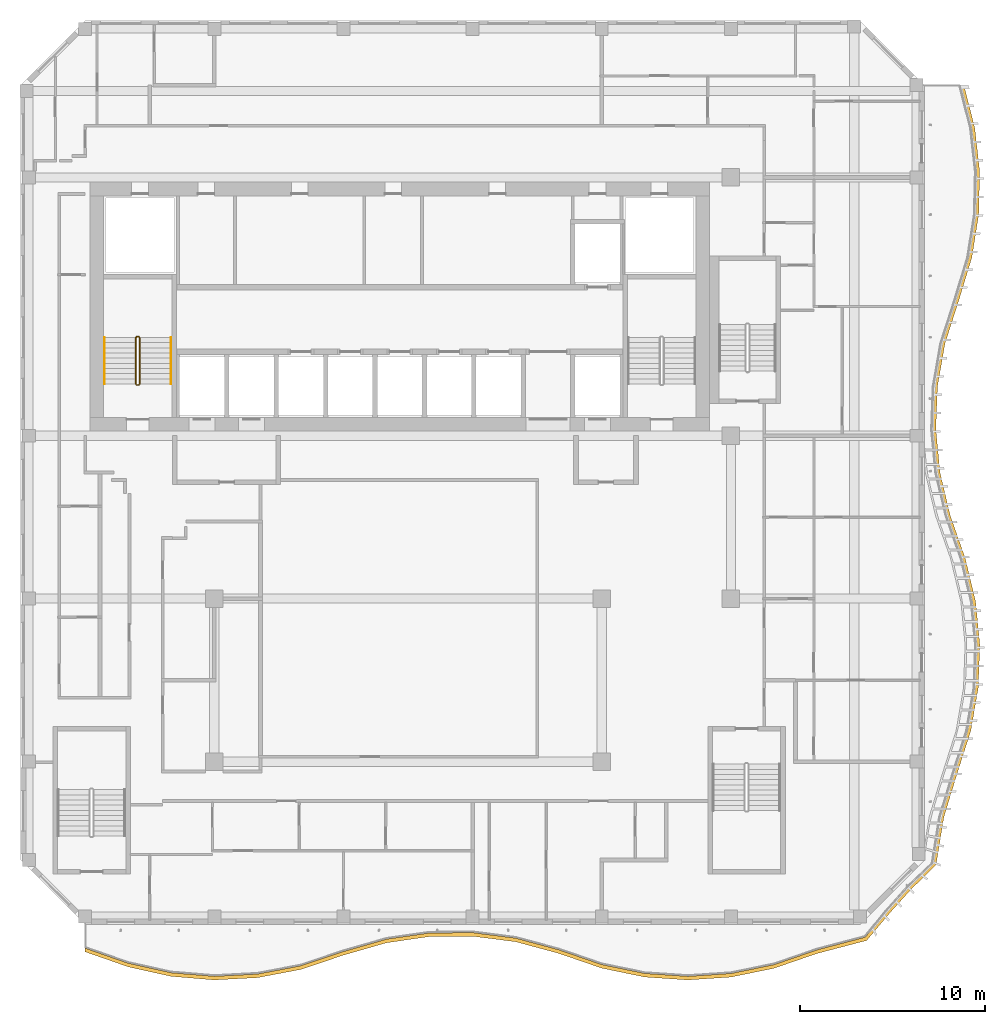
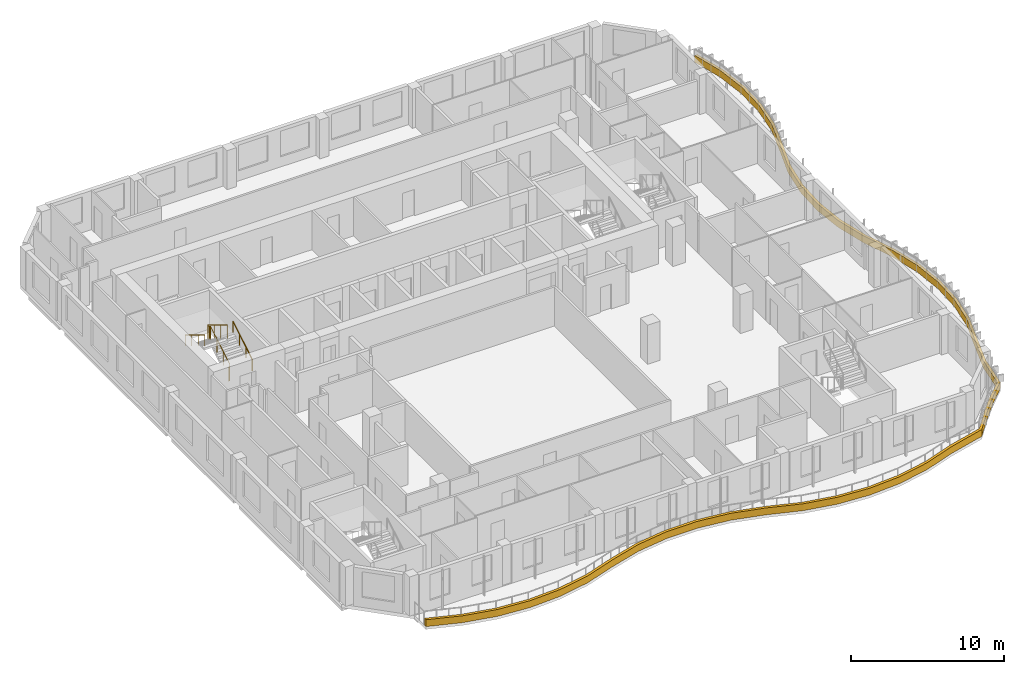
# One storey, part 14 of 19: 3 railings, 1 shading device.
"""IFC4 building model written with IfcOpenShell, lengths in metres."""

from ifc_helpers import new_model, si_unit, direction, frame, origin, origin_2d, place, context, subcontext, project, spatial, polyline, circle, outline, extrude, source, transform, mapped, material, layer, layer_set, type_object, element, save


model = new_model("IFC4")

# Units and contexts
model_context = context("Model", 3, precision=1e-05, world=origin(), true_north=direction((0.0, 1.0)))
body_context = subcontext(model_context, "Body", "Model", "MODEL_VIEW")
ifc_project = project(units=[si_unit("LENGTHUNIT", "METRE"), si_unit("AREAUNIT", "SQUARE_METRE"), si_unit("VOLUMEUNIT", "CUBIC_METRE"), si_unit("PLANEANGLEUNIT", "RADIAN"), si_unit("MASSUNIT", "GRAM", prefix="KILO")], contexts=[model_context])

# Site, building, storey
site_placement = place(None, origin())
site = spatial("IfcSite", under=ifc_project, at=site_placement, CompositionType="ELEMENT")
building_placement = place(site_placement, origin())
building = spatial("IfcBuilding", under=site, at=building_placement, Name="Kilnfold Tower and Market Hall", CompositionType="ELEMENT")
storey_placement = place(building_placement, frame((0.0, 0.0, 245.800048828125)))
storey = spatial("IfcBuildingStorey", under=building, at=storey_placement, Name="L59", CompositionType="ELEMENT", Elevation=245.800048828125)

# Railings
ifc_material_1 = material(Name="Stainless steel 316", Category="steel")
railing_type_1 = type_object("IfcRailingType", Name="CORE STAIR GUARD 1100", PredefinedType="GUARDRAIL", material=ifc_material_1)
railing_1_placement = place(storey_placement, frame((-13.199951171875, 10.75, 0.0)))
element("IfcRailing", 1, at=railing_1_placement, inside=storey, type_object=railing_type_1, Name="L59 ST1 stair guard 1", PredefinedType="GUARDRAIL", context=body_context, shape_type="SweptSolid", body=[
    extrude(circle(Radius=0.02392578125, at=origin_2d()), frame((0.0, 0.0, 1.076171875), z_axis=(1.0, 0.0, 0.0), x_axis=(0.0, 1.0, 0.0)), (0.0, 0.0, 1.0), 0.099853515625),
    extrude(circle(Radius=0.02392578125, at=origin_2d()), frame((0.099853515625, 0.0, 1.076171875), z_axis=(0.271895245746, 0.271895245746, 0.923117517265), x_axis=(-0.707106781187, 0.707106781187, 0.0)), (0.0, 0.0, 1.0), 0.18408203125),
    extrude(circle(Radius=0.02392578125, at=origin_2d()), frame((0.14990234375, 0.050048828125, 1.24609375), z_axis=(0.0, 0.85478489116, 0.518982456201), x_axis=(-1.0, 0.0, 0.0)), (0.0, 0.0, 1.0), 2.9482421875),
    extrude(circle(Radius=0.02392578125, at=origin_2d()), frame((0.14990234375, 2.570068359375, 2.77587890625), z_axis=(-0.707106781187, 0.707106781187, 0.0), x_axis=(-0.707106781187, -0.707106781187, 0.0)), (0.0, 0.0, 1.0), 0.07080078125),
    extrude(circle(Radius=0.02392578125, at=origin_2d()), frame((0.099853515625, 2.6201171875, 2.77587890625), z_axis=(-1.0, 0.0, 0.0), x_axis=(0.0, -1.0, 0.0)), (0.0, 0.0, 1.0), 0.099853515625),
    extrude(circle(Radius=0.02392578125, at=origin_2d()), frame((0.0, 2.6201171875, 2.77587890625), z_axis=(-0.271895245746, -0.271895245746, 0.923117517265), x_axis=(0.707106781187, -0.707106781187, 0.0)), (0.0, 0.0, 1.0), 0.18408203125),
    extrude(circle(Radius=0.02392578125, at=origin_2d()), frame((-0.050048828125, 2.570068359375, 2.94580078125), z_axis=(0.0, -0.85478489116, 0.518982456201), x_axis=(1.0, 0.0, 0.0)), (0.0, 0.0, 1.0), 2.9482421875),
    extrude(circle(Radius=0.02099609375, at=origin_2d()), origin(), (0.0, 0.0, 1.0), 1.052001953125),
    extrude(circle(Radius=0.02099609375, at=origin_2d()), frame((0.099853515625, 0.0, 0.0)), (0.0, 0.0, 1.0), 1.052001953125),
    extrude(circle(Radius=0.02099609375, at=origin_2d()), frame((0.14990234375, 0.050048828125, 0.169921875)), (0.0, 0.0, 1.0), 1.052001953125),
    extrude(circle(Radius=0.02099609375, at=origin_2d()), frame((0.14990234375, 0.89013671875, 0.679931640625)), (0.0, 0.0, 1.0), 1.052001953125),
    extrude(circle(Radius=0.02099609375, at=origin_2d()), frame((0.14990234375, 1.72998046875, 1.18994140625)), (0.0, 0.0, 1.0), 1.052001953125),
    extrude(circle(Radius=0.02099609375, at=origin_2d()), frame((0.14990234375, 2.570068359375, 1.699951171875)), (0.0, 0.0, 1.0), 1.052001953125),
    extrude(circle(Radius=0.02099609375, at=origin_2d()), frame((0.099853515625, 2.6201171875, 1.699951171875)), (0.0, 0.0, 1.0), 1.052001953125),
    extrude(circle(Radius=0.02099609375, at=origin_2d()), frame((0.0, 2.6201171875, 1.699951171875)), (0.0, 0.0, 1.0), 1.052001953125),
    extrude(circle(Radius=0.02099609375, at=origin_2d()), frame((-0.050048828125, 2.570068359375, 1.869873046875)), (0.0, 0.0, 1.0), 1.052001953125),
    extrude(circle(Radius=0.02099609375, at=origin_2d()), frame((-0.050048828125, 1.72998046875, 2.3798828125)), (0.0, 0.0, 1.0), 1.052001953125),
    extrude(circle(Radius=0.02099609375, at=origin_2d()), frame((-0.050048828125, 0.89013671875, 2.889892578125)), (0.0, 0.0, 1.0), 1.052001953125),
    extrude(circle(Radius=0.02099609375, at=origin_2d()), frame((-0.050048828125, 0.050048828125, 3.39990234375)), (0.0, 0.0, 1.0), 1.052001953125),
])
ifc_material_2 = material(Name="Stainless steel 316", Category="steel")
railing_type_2 = type_object("IfcRailingType", Name="CORE STAIR HANDRAIL 900", PredefinedType="HANDRAIL", material=ifc_material_2)
railing_2_placement = place(storey_placement, frame((-11.35009765625, 10.800048828125, 0.169921875)))
element("IfcRailing", 2, at=railing_2_placement, inside=storey, type_object=railing_type_2, Name="L59 ST1 stair handrail 1", PredefinedType="HANDRAIL", context=body_context, shape_type="SweptSolid", body=[
    extrude(circle(Radius=0.02392578125, at=origin_2d()), frame((0.0, 0.0, 0.8759765625), z_axis=(0.0, 0.85478489116, 0.518982456201), x_axis=(-1.0, 0.0, 0.0)), (0.0, 0.0, 1.0), 2.9482421875),
    extrude(circle(Radius=0.02099609375, at=origin_2d()), origin(), (0.0, 0.0, 1.0), 0.851806640625),
    extrude(circle(Radius=0.02099609375, at=origin_2d()), frame((0.0, 0.840087890625, 0.510009765625)), (0.0, 0.0, 1.0), 0.851806640625),
    extrude(circle(Radius=0.02099609375, at=origin_2d()), frame((0.0, 1.679931640625, 1.02001953125)), (0.0, 0.0, 1.0), 0.851806640625),
    extrude(circle(Radius=0.02099609375, at=origin_2d()), frame((0.0, 2.52001953125, 1.530029296875)), (0.0, 0.0, 1.0), 0.851806640625),
])
railing_3_placement = place(storey_placement, frame((-14.949951171875, 13.320068359375, 1.869873046875)))
element("IfcRailing", 3, at=railing_3_placement, inside=storey, type_object=railing_type_2, Name="L59 ST1 stair handrail 2", PredefinedType="HANDRAIL", context=body_context, shape_type="SweptSolid", body=[
    extrude(circle(Radius=0.02392578125, at=origin_2d()), frame((0.0, 0.0, 0.8759765625), z_axis=(0.0, -0.85478489116, 0.518982456201), x_axis=(1.0, 0.0, 0.0)), (0.0, 0.0, 1.0), 2.9482421875),
    extrude(circle(Radius=0.02099609375, at=origin_2d()), origin(), (0.0, 0.0, 1.0), 0.851806640625),
    extrude(circle(Radius=0.02099609375, at=origin_2d()), frame((0.0, -0.840087890625, 0.510009765625)), (0.0, 0.0, 1.0), 0.851806640625),
    extrude(circle(Radius=0.02099609375, at=origin_2d()), frame((0.0, -1.679931640625, 1.02001953125)), (0.0, 0.0, 1.0), 0.851806640625),
    extrude(circle(Radius=0.02099609375, at=origin_2d()), frame((0.0, -2.52001953125, 1.530029296875)), (0.0, 0.0, 1.0), 0.851806640625),
])

# Shading device
ifc_material_3 = material(Name="Precast concrete C50/60", Category="concrete")
ifc_layer = layer(ifc_material_3, 0.550048828125)
ifc_layer_set = layer_set([ifc_layer], Name="Precast concrete C50/60")
shading_device_type = type_object("IfcShadingDeviceType", Name="BALCONY UPSTAND 550", PredefinedType="USERDEFINED", material=ifc_layer_set)
shared_shape = source(origin(), body_context, "Body", "SweptSolid", [
    extrude(outline(polyline([(-16.0, -19.97314453125), (-13.666748046875, -20.788330078125), (-11.333251953125, -21.3056640625), (-9.0, -21.498046875), (-6.666748046875, -21.376220703125), (-4.333251953125, -20.93359375), (-2.0, -20.154296875), (0.333251953125, -19.4833984375), (2.666748046875, -19.148681640625), (5.0, -19.130615234375), (7.333251953125, -19.427978515625), (9.666748046875, -20.058349609375), (12.0, -20.86083984375), (14.333251953125, -21.341796875), (16.666748046875, -21.5), (19.0, -21.34423828125), (21.333251953125, -20.86572265625), (23.666748046875, -20.064453125), (26.3564453125, -19.360595703125), (27.652099609375, -17.818603515625), (28.7578125, -16.591064453125), (30.11962890625, -15.256591796875), (30.542236328125, -12.666748046875), (31.253662109375, -10.333251953125), (32.0009765625, -8.0), (32.406005859375, -5.666748046875), (32.491943359375, -3.333251953125), (32.263671875, -1.0), (31.707763671875, 1.333251953125), (30.88818359375, 3.666748046875), (30.334228515625, 6.0), (30.107666015625, 8.333251953125), (30.1953125, 10.666748046875), (30.602294921875, 13.0), (31.351318359375, 15.333251953125), (32.060791015625, 17.666748046875), (32.430419921875, 20.0), (32.482666015625, 22.333251953125), (32.2197265625, 24.666748046875), (31.626953125, 27.0), (31.427001953125, 27.0), (32.019775390625, 24.666748046875), (32.28271484375, 22.333251953125), (32.23046875, 20.0), (31.860595703125, 17.666748046875), (31.1513671875, 15.333251953125), (30.40234375, 13.0), (29.995361328125, 10.666748046875), (29.90771484375, 8.333251953125), (30.13427734375, 6.0), (30.68798828125, 3.666748046875), (31.5078125, 1.333251953125), (32.063720703125, -1.0), (32.2919921875, -3.333251953125), (32.2060546875, -5.666748046875), (31.80078125, -8.0), (31.0537109375, -10.333251953125), (30.34228515625, -12.666748046875), (29.934814453125, -15.18017578125), (28.6162109375, -16.44970703125), (27.510498046875, -17.67724609375), (26.280029296875, -19.17578125), (23.666748046875, -19.864501953125), (21.333251953125, -20.665771484375), (19.0, -21.144287109375), (16.666748046875, -21.300048828125), (14.333251953125, -21.141845703125), (12.0, -20.660888671875), (9.666748046875, -19.8583984375), (7.333251953125, -19.22802734375), (5.0, -18.9306640625), (2.666748046875, -18.94873046875), (0.333251953125, -19.283447265625), (-2.0, -19.954345703125), (-4.333251953125, -20.733642578125), (-6.666748046875, -21.17626953125), (-9.0, -21.298095703125), (-11.333251953125, -21.105712890625), (-13.666748046875, -20.58837890625), (-16.0, -19.773193359375), (-16.0, -19.97314453125)])), origin(), (0.0, 0.0, 1.0), 0.550048828125),
])
shading_device_placement = place(storey_placement, origin())
element("IfcShadingDevice", 4, at=shading_device_placement, inside=storey, type_object=shading_device_type, Name="Balcony fascia L59", ObjectType="FASCIA", PredefinedType="USERDEFINED", context=body_context, shape_type="MappedRepresentation", body=[
    mapped(shared_shape, transform((0.0, 0.0, 0.0))),
])

save(model, "model.ifc")
